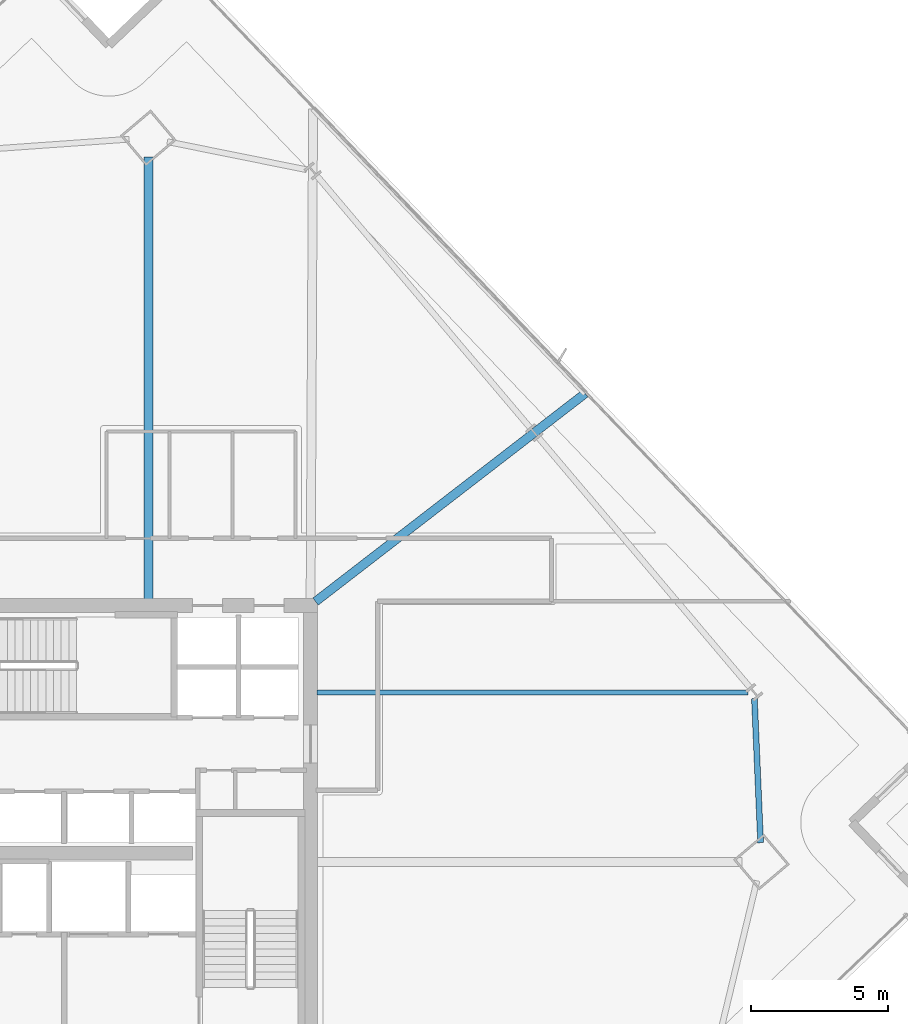
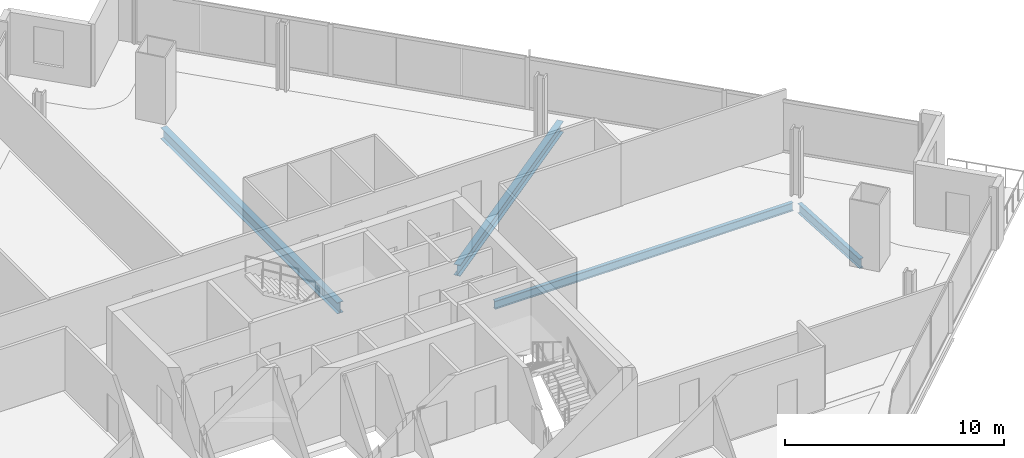
# One storey, part 19 of 33: 4 beams.
"""IFC4 building model written with IfcOpenShell, lengths in metres."""

from ifc_helpers import new_model, si_unit, direction, frame, origin, origin_2d, place, context, subcontext, project, spatial, i_section, extrude, material, material_profile, profile_set, type_object, element, save


model = new_model("IFC4")

# Units and contexts
model_context = context("Model", 3, precision=1e-05, world=origin(), true_north=direction((0.0, 1.0)))
body_context = subcontext(model_context, "Body", "Model", "MODEL_VIEW")
ifc_project = project(units=[si_unit("LENGTHUNIT", "METRE"), si_unit("AREAUNIT", "SQUARE_METRE"), si_unit("VOLUMEUNIT", "CUBIC_METRE"), si_unit("PLANEANGLEUNIT", "RADIAN"), si_unit("MASSUNIT", "GRAM", prefix="KILO")], contexts=[model_context])

# Site, building, storey
site_placement = place(None, origin())
site = spatial("IfcSite", under=ifc_project, at=site_placement, CompositionType="ELEMENT")
building_placement = place(site_placement, origin())
building = spatial("IfcBuilding", under=site, at=building_placement, Name="Haldenkirk Collegiate Tower", CompositionType="ELEMENT")
storey_placement = place(building_placement, frame((0.0, 0.0, 174.449951171875)))
storey = spatial("IfcBuildingStorey", under=building, at=storey_placement, Name="L43", CompositionType="ELEMENT", Elevation=174.449951171875)

# Beams
ifc_material = material(Name="Steel ASTM A992 Grade 50", Category="steel")
ifc_material_profile_1 = material_profile(ifc_material, i_section(OverallWidth=0.324951171875, OverallDepth=0.615966796875, WebThickness=0.013916015625, FlangeThickness=0.021484375, at=origin_2d()), Name="W24X117")
ifc_profile_set_1 = profile_set([ifc_material_profile_1], Name="Steel ASTM A992 Grade 50")
beam_type_1 = type_object("IfcBeamType", Name="BM-GIRDER-W24X117", PredefinedType="BEAM", material=ifc_profile_set_1)
beam_1_placement = place(storey_placement, frame((39.076904296875, 50.3701171875, -0.597900390625), z_axis=(0.0, -1.0, 0.0), x_axis=(1.0, 0.0, 0.0)))
element("IfcBeam", 1, at=beam_1_placement, inside=storey, type_object=beam_type_1, Name="L43 primary floor girder 03", PredefinedType="BEAM", context=body_context, shape_type="SweptSolid", body=[
    extrude(i_section(OverallWidth=0.324951171875, OverallDepth=0.615966796875, WebThickness=0.013916015625, FlangeThickness=0.021484375, at=origin_2d()), origin(), (0.0, 0.0, 1.0), 16.14013671875),
])
beam_2_placement = place(storey_placement, frame((55.02685546875, 41.739501953125, -0.597900390625), z_axis=(-0.791602648433, -0.611036207597, 0.0), x_axis=(0.611036207597, -0.791602648433, 0.0)))
element("IfcBeam", 2, at=beam_2_placement, inside=storey, type_object=beam_type_1, Name="L43 primary floor girder 09", PredefinedType="BEAM", context=body_context, shape_type="SweptSolid", body=[
    extrude(i_section(OverallWidth=0.324951171875, OverallDepth=0.615966796875, WebThickness=0.013916015625, FlangeThickness=0.021484375, at=origin_2d()), origin(), (0.0, 0.0, 1.0), 12.4365234375),
])
ifc_material_profile_2 = material_profile(ifc_material, i_section(OverallWidth=0.18994140625, OverallDepth=0.45703125, WebThickness=0.009033203125, FlangeThickness=0.014404296875, at=origin_2d()), Name="W18X50")
ifc_profile_set_2 = profile_set([ifc_material_profile_2], Name="Steel ASTM A992 Grade 50")
beam_type_2 = type_object("IfcBeamType", Name="BM-JOIST-W18X50", PredefinedType="JOIST", material=ifc_profile_set_2)
beam_3_placement = place(storey_placement, frame((60.970458984375, 30.82421875, -0.5185546875), z_axis=(-1.0, 0.0, 0.0), x_axis=(0.0, -1.0, 0.0)))
element("IfcBeam", 3, at=beam_3_placement, inside=storey, type_object=beam_type_2, Name="L43 composite floor joist 08", PredefinedType="JOIST", context=body_context, shape_type="SweptSolid", body=[
    extrude(i_section(OverallWidth=0.18994140625, OverallDepth=0.45703125, WebThickness=0.009033203125, FlangeThickness=0.014404296875, at=origin_2d()), origin(), (0.0, 0.0, 1.0), 15.740478515625),
])
ifc_material_profile_3 = material_profile(ifc_material, i_section(OverallWidth=0.2119140625, OverallDepth=0.5439453125, WebThickness=0.01318359375, FlangeThickness=0.021240234375, at=origin_2d()), Name="W21X83")
ifc_profile_set_3 = profile_set([ifc_material_profile_3], Name="Steel ASTM A992 Grade 50")
beam_type_3 = type_object("IfcBeamType", Name="BM-SPANDREL-W21X83", PredefinedType="SPANDREL", material=ifc_profile_set_3)
beam_4_placement = place(storey_placement, frame((61.434814453125, 25.33349609375, -0.56201171875), z_axis=(-0.042833703015, 0.999082215779, 0.0), x_axis=(-0.999082215779, -0.042833703015, 0.0)))
element("IfcBeam", 4, at=beam_4_placement, inside=storey, type_object=beam_type_3, Name="L43 perimeter spandrel beam 05", PredefinedType="SPANDREL", context=body_context, shape_type="SweptSolid", body=[
    extrude(i_section(OverallWidth=0.2119140625, OverallDepth=0.5439453125, WebThickness=0.01318359375, FlangeThickness=0.021240234375, at=origin_2d()), origin(), (0.0, 0.0, 1.0), 5.2666015625),
])

save(model, "model.ifc")
